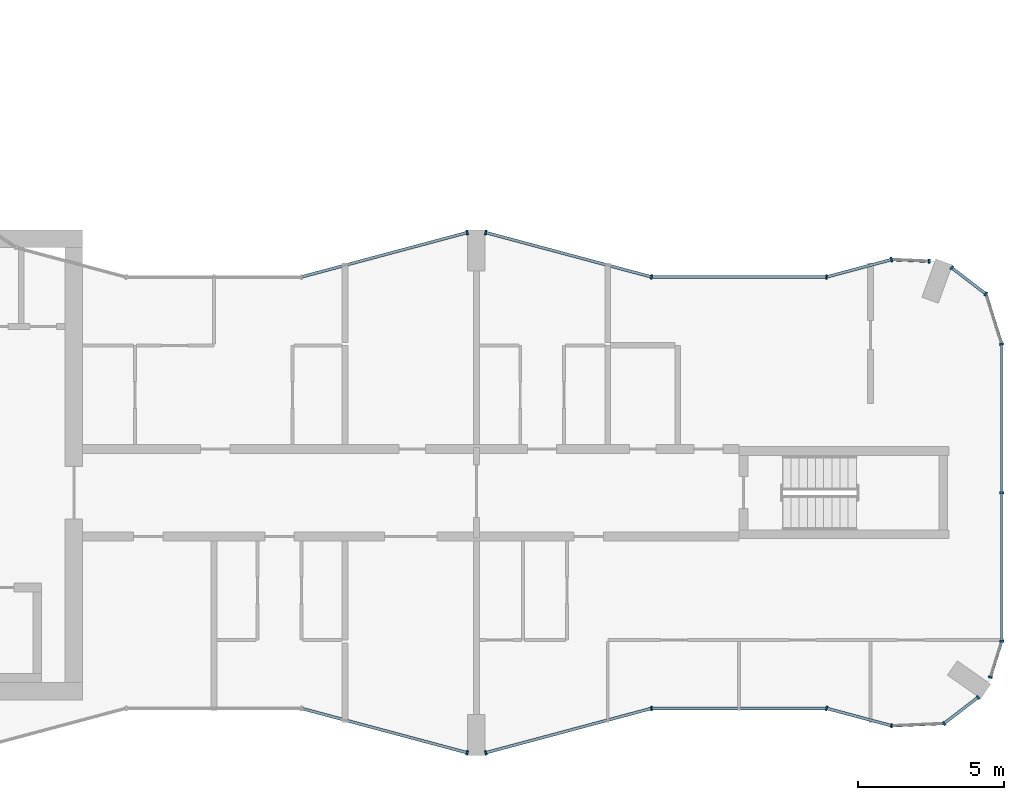
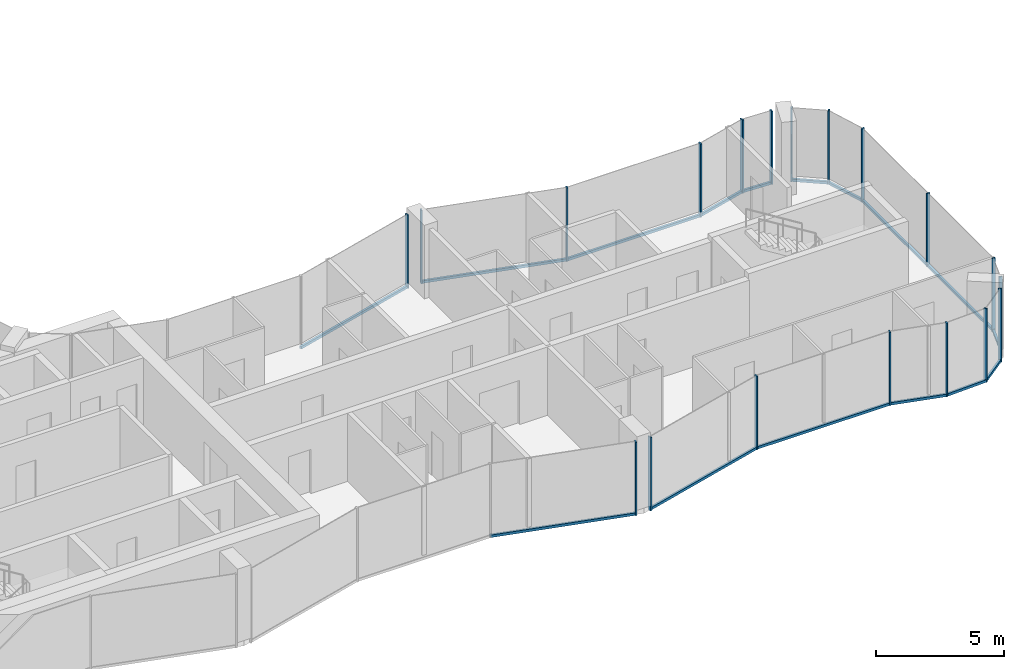
# One storey, part 6 of 17: 34 members, 15 elements without a shape of their own.
"""IFC4 building model written with IfcOpenShell, lengths in metres."""

from ifc_helpers import new_model, si_unit, direction, frame, origin, origin_2d, place, context, subcontext, project, spatial, rectangle, extrude, material, layer, layer_set, material_profile, profile_set, type_object, element, aggregate, save


model = new_model("IFC4")

# Units and contexts
model_context = context("Model", 3, precision=1e-05, world=origin(), true_north=direction((0.0, 1.0)))
body_context = subcontext(model_context, "Body", "Model", "MODEL_VIEW")
ifc_project = project(units=[si_unit("LENGTHUNIT", "METRE"), si_unit("AREAUNIT", "SQUARE_METRE"), si_unit("VOLUMEUNIT", "CUBIC_METRE"), si_unit("PLANEANGLEUNIT", "RADIAN"), si_unit("MASSUNIT", "GRAM", prefix="KILO")], contexts=[model_context])

# Site, building, storey
site_placement = place(None, origin())
site = spatial("IfcSite", under=ifc_project, at=site_placement, CompositionType="ELEMENT")
building_placement = place(site_placement, origin())
building = spatial("IfcBuilding", under=site, at=building_placement, Name="Plateau Cross Towers", CompositionType="ELEMENT")
storey_placement = place(building_placement, frame((0.0, 0.0, 146.39990234375)))
storey = spatial("IfcBuildingStorey", under=building, at=storey_placement, Name="L37", CompositionType="ELEMENT", Elevation=146.39990234375)

# Curtain wall, member
ifc_material_1 = material(Name="Dark low-iron glass", Category="glass")
ifc_layer_1 = layer(ifc_material_1, 0.239990234375)
ifc_layer_set_1 = layer_set([ifc_layer_1], Name="Dark low-iron glass")
curtain_wall_type_1 = type_object("IfcCurtainWallType", Name="Curtain wall flush unitised CW-B", PredefinedType="NOTDEFINED", material=ifc_layer_set_1)
curtain_wall_1_placement = place(storey_placement, origin())
curtain_wall_1 = element("IfcCurtainWall", 1, at=curtain_wall_1_placement, inside=storey, type_object=curtain_wall_type_1, Name="ENV/A/L37/A502_10", PredefinedType="NOTDEFINED")
ifc_material_2 = material(Name="Black anodised aluminium", Category="aluminium")
ifc_material_profile_1 = material_profile(ifc_material_2, rectangle(XDim=0.06005859375, YDim=0.139892578125, at=origin_2d()), Name="MULLION 60x140")
ifc_profile_set_1 = profile_set([ifc_material_profile_1], Name="Black anodised aluminium")
member_type_1 = type_object("IfcMemberType", Name="Mullion 60x140 flush unitised", PredefinedType="MULLION", material=ifc_profile_set_1)
member_1_placement = place(storey_placement, frame((50.223876953125, 1.01123046875, -0.25), z_axis=(0.0, 0.0, 1.0), x_axis=(0.999043701491, 0.043722791671, 0.0)))
member_1 = element("IfcMember", 2, at=member_1_placement, type_object=member_type_1, Name="CW-B mullion 1", PredefinedType="MULLION", context=body_context, shape_type="SweptSolid", body=[
    extrude(rectangle(XDim=0.06005859375, YDim=0.139892578125, at=origin_2d()), origin(), (0.0, 0.0, 1.0), 3.5),
])

# Curtain wall, members
curtain_wall_2_placement = place(storey_placement, origin())
curtain_wall_2 = element("IfcCurtainWall", 3, at=curtain_wall_2_placement, inside=storey, type_object=curtain_wall_type_1, Name="ENV/A/L37/A520_11", PredefinedType="NOTDEFINED")
member_2_placement = place(storey_placement, frame((52.0263671875, 1.090087890625, -0.25), z_axis=(0.0, 0.0, 1.0), x_axis=(0.793315514529, 0.608810721331, 0.0)))
member_2 = element("IfcMember", 4, at=member_2_placement, type_object=member_type_1, Name="CW-B mullion 1", PredefinedType="MULLION", context=body_context, shape_type="SweptSolid", body=[
    extrude(rectangle(XDim=0.06005859375, YDim=0.139892578125, at=origin_2d()), origin(), (0.0, 0.0, 1.0), 3.5),
])
member_3_placement = place(storey_placement, frame((53.193603515625, 1.986083984375, -0.25), z_axis=(0.0, 0.0, 1.0), x_axis=(0.793315514529, 0.608810721331, 0.0)))
member_3 = element("IfcMember", 5, at=member_3_placement, type_object=member_type_1, Name="CW-B mullion 2", PredefinedType="MULLION", context=body_context, shape_type="SweptSolid", body=[
    extrude(rectangle(XDim=0.06005859375, YDim=0.139892578125, at=origin_2d()), origin(), (0.0, 0.0, 1.0), 3.5),
])

# Curtain wall, member
curtain_wall_3_placement = place(storey_placement, origin())
curtain_wall_3 = element("IfcCurtainWall", 6, at=curtain_wall_3_placement, inside=storey, type_object=curtain_wall_type_1, Name="ENV/A/L37/A536_27", PredefinedType="NOTDEFINED")
member_4_placement = place(storey_placement, frame((53.611083984375, 2.67529296875, -0.25), z_axis=(0.0, 0.0, 1.0), x_axis=(0.300686174994, 0.95372313811, 0.0)))
member_4 = element("IfcMember", 7, at=member_4_placement, type_object=member_type_1, Name="CW-B mullion 1", PredefinedType="MULLION", context=body_context, shape_type="SweptSolid", body=[
    extrude(rectangle(XDim=0.06005859375, YDim=0.139892578125, at=origin_2d()), origin(), (0.0, 0.0, 1.0), 3.5),
])

# Curtain wall, members
curtain_wall_4_placement = place(storey_placement, origin())
curtain_wall_4 = element("IfcCurtainWall", 8, at=curtain_wall_4_placement, inside=storey, type_object=curtain_wall_type_1, Name="ENV/A/L37/A540_39", PredefinedType="NOTDEFINED")
member_5_placement = place(storey_placement, frame((54.0, 3.9091796875, -0.25), z_axis=(0.0, 0.0, 1.0), x_axis=(0.0, 1.0, 0.0)))
member_5 = element("IfcMember", 9, at=member_5_placement, type_object=member_type_1, Name="CW-B mullion 1", PredefinedType="MULLION", context=body_context, shape_type="SweptSolid", body=[
    extrude(rectangle(XDim=0.06005859375, YDim=0.139892578125, at=origin_2d()), origin(), (0.0, 0.0, 1.0), 3.5),
])
member_6_placement = place(storey_placement, frame((54.0, 9.0, -0.25), z_axis=(0.0, 0.0, 1.0), x_axis=(0.0, 1.0, 0.0)))
member_6 = element("IfcMember", 10, at=member_6_placement, type_object=member_type_1, Name="CW-B mullion 2", PredefinedType="MULLION", context=body_context, shape_type="SweptSolid", body=[
    extrude(rectangle(XDim=0.06005859375, YDim=0.139892578125, at=origin_2d()), origin(), (0.0, 0.0, 1.0), 3.5),
])

# Curtain wall, member
curtain_wall_5_placement = place(storey_placement, origin())
curtain_wall_5 = element("IfcCurtainWall", 11, at=curtain_wall_5_placement, inside=storey, type_object=curtain_wall_type_1, Name="ENV/A/L37/A540_141", PredefinedType="NOTDEFINED")
member_7_placement = place(storey_placement, frame((54.0, 14.0908203125, -0.25), z_axis=(0.0, 0.0, 1.0), x_axis=(-0.300686174994, 0.95372313811, 0.0)))
member_7 = element("IfcMember", 12, at=member_7_placement, type_object=member_type_1, Name="CW-B mullion 1", PredefinedType="MULLION", context=body_context, shape_type="SweptSolid", body=[
    extrude(rectangle(XDim=0.06005859375, YDim=0.139892578125, at=origin_2d()), origin(), (0.0, 0.0, 1.0), 3.5),
])

# Curtain wall, members
curtain_wall_6_placement = place(storey_placement, origin())
curtain_wall_6 = element("IfcCurtainWall", 13, at=curtain_wall_6_placement, inside=storey, type_object=curtain_wall_type_1, Name="ENV/A/L37/A535_158", PredefinedType="NOTDEFINED")
member_8_placement = place(storey_placement, frame((53.45751953125, 15.8115234375, -0.25), z_axis=(0.0, 0.0, 1.0), x_axis=(-0.793315514529, 0.608810721331, 0.0)))
member_8 = element("IfcMember", 14, at=member_8_placement, type_object=member_type_1, Name="CW-B mullion 1", PredefinedType="MULLION", context=body_context, shape_type="SweptSolid", body=[
    extrude(rectangle(XDim=0.06005859375, YDim=0.139892578125, at=origin_2d()), origin(), (0.0, 0.0, 1.0), 3.5),
])
member_9_placement = place(storey_placement, frame((52.290283203125, 16.707275390625, -0.25), z_axis=(0.0, 0.0, 1.0), x_axis=(-0.793315514529, 0.608810721331, 0.0)))
member_9 = element("IfcMember", 15, at=member_9_placement, type_object=member_type_1, Name="CW-B mullion 2", PredefinedType="MULLION", context=body_context, shape_type="SweptSolid", body=[
    extrude(rectangle(XDim=0.06005859375, YDim=0.139892578125, at=origin_2d()), origin(), (0.0, 0.0, 1.0), 3.5),
])

# Curtain wall, member
curtain_wall_7_placement = place(storey_placement, origin())
curtain_wall_7 = element("IfcCurtainWall", 16, at=curtain_wall_7_placement, inside=storey, type_object=curtain_wall_type_1, Name="ENV/A/L37/A515_169", PredefinedType="NOTDEFINED")
member_10_placement = place(storey_placement, frame((51.516357421875, 16.93212890625, -0.25), z_axis=(0.0, 0.0, 1.0), x_axis=(-0.999043701491, 0.043722791671, 0.0)))
member_10 = element("IfcMember", 17, at=member_10_placement, type_object=member_type_1, Name="CW-B mullion 1", PredefinedType="MULLION", context=body_context, shape_type="SweptSolid", body=[
    extrude(rectangle(XDim=0.06005859375, YDim=0.139892578125, at=origin_2d()), origin(), (0.0, 0.0, 1.0), 3.5),
])

ifc_layer_2 = layer(ifc_material_1, 0.260009765625)
ifc_layer_set_2 = layer_set([ifc_layer_2], Name="Dark low-iron glass")
curtain_wall_type_2 = type_object("IfcCurtainWallType", Name="Curtain wall fluted unitised CW-A", PredefinedType="NOTDEFINED", material=ifc_layer_set_2)
curtain_wall_8_placement = place(storey_placement, origin())
curtain_wall_8 = element("IfcCurtainWall", 18, at=curtain_wall_8_placement, inside=storey, type_object=curtain_wall_type_2, Name="ENV/A/L37/A300_16", PredefinedType="NOTDEFINED")
ifc_material_profile_2 = material_profile(ifc_material_2, rectangle(XDim=0.06005859375, YDim=0.159912109375, at=origin_2d()), Name="MULLION 60x160")
ifc_profile_set_2 = profile_set([ifc_material_profile_2], Name="Black anodised aluminium")
member_type_2 = type_object("IfcMemberType", Name="Mullion 60x160 fluted unitised", PredefinedType="MULLION", material=ifc_profile_set_2)
member_11_placement = place(storey_placement, frame((35.68212890625, 0.085205078125, -0.25), z_axis=(0.0, 0.0, 1.0), x_axis=(0.965957983404, -0.258699003279, 0.0)))
member_11 = element("IfcMember", 19, at=member_11_placement, type_object=member_type_2, Name="CW-A mullion 2", PredefinedType="MULLION", context=body_context, shape_type="SweptSolid", body=[
    extrude(rectangle(XDim=0.06005859375, YDim=0.159912109375, at=origin_2d()), origin(), (0.0, 0.0, 1.0), 3.5),
])

curtain_wall_9_placement = place(storey_placement, origin())
curtain_wall_9 = element("IfcCurtainWall", 20, at=curtain_wall_9_placement, inside=storey, type_object=curtain_wall_type_2, Name="ENV/A/L37/A363_1", PredefinedType="NOTDEFINED")
member_12_placement = place(storey_placement, frame((36.31787109375, 0.085205078125, -0.25), z_axis=(0.0, 0.0, 1.0), x_axis=(0.965957983404, 0.258699003279, 0.0)))
member_12 = element("IfcMember", 21, at=member_12_placement, type_object=member_type_2, Name="CW-A mullion 1", PredefinedType="MULLION", context=body_context, shape_type="SweptSolid", body=[
    extrude(rectangle(XDim=0.06005859375, YDim=0.159912109375, at=origin_2d()), origin(), (0.0, 0.0, 1.0), 3.5),
])

curtain_wall_10_placement = place(storey_placement, origin())
curtain_wall_10 = element("IfcCurtainWall", 22, at=curtain_wall_10_placement, inside=storey, type_object=curtain_wall_type_2, Name="ENV/A/L37/A420_16", PredefinedType="NOTDEFINED")
member_13_placement = place(storey_placement, frame((42.0, 1.60693359375, -0.25), z_axis=(0.0, 0.0, 1.0), x_axis=(1.0, 0.0, 0.0)))
member_13 = element("IfcMember", 23, at=member_13_placement, type_object=member_type_2, Name="CW-A mullion 1", PredefinedType="MULLION", context=body_context, shape_type="SweptSolid", body=[
    extrude(rectangle(XDim=0.06005859375, YDim=0.159912109375, at=origin_2d()), origin(), (0.0, 0.0, 1.0), 3.5),
])

curtain_wall_11_placement = place(storey_placement, origin())
curtain_wall_11 = element("IfcCurtainWall", 24, at=curtain_wall_11_placement, inside=storey, type_object=curtain_wall_type_2, Name="ENV/A/L37/A480_16", PredefinedType="NOTDEFINED")
member_14_placement = place(storey_placement, frame((48.0, 1.60693359375, -0.25), z_axis=(0.0, 0.0, 1.0), x_axis=(0.965957962328, -0.258699081978, 0.0)))
member_14 = element("IfcMember", 25, at=member_14_placement, type_object=member_type_2, Name="CW-A mullion 1", PredefinedType="MULLION", context=body_context, shape_type="SweptSolid", body=[
    extrude(rectangle(XDim=0.06005859375, YDim=0.159912109375, at=origin_2d()), origin(), (0.0, 0.0, 1.0), 3.5),
])

curtain_wall_12_placement = place(storey_placement, origin())
curtain_wall_12 = element("IfcCurtainWall", 26, at=curtain_wall_12_placement, inside=storey, type_object=curtain_wall_type_2, Name="ENV/A/L37/A502_170", PredefinedType="NOTDEFINED")
member_15_placement = place(storey_placement, frame((50.223876953125, 16.98876953125, -0.25), z_axis=(0.0, 0.0, 1.0), x_axis=(-0.965957962328, -0.258699081978, 0.0)))
member_15 = element("IfcMember", 27, at=member_15_placement, type_object=member_type_2, Name="CW-A mullion 1", PredefinedType="MULLION", context=body_context, shape_type="SweptSolid", body=[
    extrude(rectangle(XDim=0.06005859375, YDim=0.159912109375, at=origin_2d()), origin(), (0.0, 0.0, 1.0), 3.5),
])

curtain_wall_13_placement = place(storey_placement, origin())
curtain_wall_13 = element("IfcCurtainWall", 28, at=curtain_wall_13_placement, inside=storey, type_object=curtain_wall_type_2, Name="ENV/A/L37/A480_164", PredefinedType="NOTDEFINED")
member_16_placement = place(storey_placement, frame((48.0, 16.39306640625, -0.25), z_axis=(0.0, 0.0, 1.0), x_axis=(-1.0, 0.0, 0.0)))
member_16 = element("IfcMember", 29, at=member_16_placement, type_object=member_type_2, Name="CW-A mullion 1", PredefinedType="MULLION", context=body_context, shape_type="SweptSolid", body=[
    extrude(rectangle(XDim=0.06005859375, YDim=0.159912109375, at=origin_2d()), origin(), (0.0, 0.0, 1.0), 3.5),
])

# Curtain wall, members
curtain_wall_14_placement = place(storey_placement, origin())
curtain_wall_14 = element("IfcCurtainWall", 30, at=curtain_wall_14_placement, inside=storey, type_object=curtain_wall_type_2, Name="ENV/A/L37/A420_164", PredefinedType="NOTDEFINED")
member_17_placement = place(storey_placement, frame((42.0, 16.39306640625, -0.25), z_axis=(0.0, 0.0, 1.0), x_axis=(-0.965957983404, 0.258699003279, 0.0)))
member_17 = element("IfcMember", 31, at=member_17_placement, type_object=member_type_2, Name="CW-A mullion 1", PredefinedType="MULLION", context=body_context, shape_type="SweptSolid", body=[
    extrude(rectangle(XDim=0.06005859375, YDim=0.159912109375, at=origin_2d()), origin(), (0.0, 0.0, 1.0), 3.5),
])
member_18_placement = place(storey_placement, frame((36.31787109375, 17.914794921875, -0.25), z_axis=(0.0, 0.0, 1.0), x_axis=(-0.965957983404, 0.258699003279, 0.0)))
member_18 = element("IfcMember", 32, at=member_18_placement, type_object=member_type_2, Name="CW-A mullion 2", PredefinedType="MULLION", context=body_context, shape_type="SweptSolid", body=[
    extrude(rectangle(XDim=0.06005859375, YDim=0.159912109375, at=origin_2d()), origin(), (0.0, 0.0, 1.0), 3.5),
])

# Curtain wall, member
curtain_wall_15_placement = place(storey_placement, origin())
curtain_wall_15 = element("IfcCurtainWall", 33, at=curtain_wall_15_placement, inside=storey, type_object=curtain_wall_type_2, Name="ENV/A/L37/A357_179", PredefinedType="NOTDEFINED")
member_19_placement = place(storey_placement, frame((35.68212890625, 17.914794921875, -0.25), z_axis=(0.0, 0.0, 1.0), x_axis=(-0.965957983404, -0.258699003279, 0.0)))
member_19 = element("IfcMember", 34, at=member_19_placement, type_object=member_type_2, Name="CW-A mullion 1", PredefinedType="MULLION", context=body_context, shape_type="SweptSolid", body=[
    extrude(rectangle(XDim=0.06005859375, YDim=0.159912109375, at=origin_2d()), origin(), (0.0, 0.0, 1.0), 3.5),
])

# Member
ifc_material_profile_3 = material_profile(ifc_material_2, rectangle(XDim=0.10009765625, YDim=0.1201171875, at=origin_2d()), Name="TRANSOM 100x120")
ifc_profile_set_3 = profile_set([ifc_material_profile_3], Name="Black anodised aluminium")
member_type_3 = type_object("IfcMemberType", Name="Transom 100x120 flush unitised", PredefinedType="USERDEFINED", material=ifc_profile_set_3)
member_20_placement = place(storey_placement, frame((50.223876953125, 1.01123046875, -0.18994140625), z_axis=(0.999044377355, 0.043707345779, 0.0), x_axis=(-0.043707345779, 0.999044377355, 0.0)))
member_20 = element("IfcMember", 35, at=member_20_placement, type_object=member_type_3, Name="CW-B transom", ObjectType="TRANSOM", PredefinedType="USERDEFINED", context=body_context, shape_type="SweptSolid", body=[
    extrude(rectangle(XDim=0.10009765625, YDim=0.1201171875, at=origin_2d()), origin(), (0.0, 0.0, 1.0), 1.80419921875),
])

aggregate(curtain_wall_1, [member_1, member_20])

member_21_placement = place(storey_placement, frame((52.0263671875, 1.090087890625, -0.18994140625), z_axis=(0.793240368515, 0.608908628415, 0.0), x_axis=(-0.608908628415, 0.793240368515, 0.0)))
member_21 = element("IfcMember", 36, at=member_21_placement, type_object=member_type_3, Name="CW-B transom", ObjectType="TRANSOM", PredefinedType="USERDEFINED", context=body_context, shape_type="SweptSolid", body=[
    extrude(rectangle(XDim=0.10009765625, YDim=0.1201171875, at=origin_2d()), origin(), (0.0, 0.0, 1.0), 1.471435546875),
])

aggregate(curtain_wall_2, [member_2, member_3, member_21])

member_22_placement = place(storey_placement, frame((53.611083984375, 2.67529296875, -0.18994140625), z_axis=(0.300616528216, 0.953745093284, 0.0), x_axis=(-0.953745093284, 0.300616528216, 0.0)))
member_22 = element("IfcMember", 37, at=member_22_placement, type_object=member_type_3, Name="CW-B transom", ObjectType="TRANSOM", PredefinedType="USERDEFINED", context=body_context, shape_type="SweptSolid", body=[
    extrude(rectangle(XDim=0.10009765625, YDim=0.1201171875, at=origin_2d()), origin(), (0.0, 0.0, 1.0), 1.293701171875),
])

aggregate(curtain_wall_3, [member_4, member_22])

member_23_placement = place(storey_placement, frame((54.0, 3.9091796875, -0.18994140625), z_axis=(0.0, 1.0, 0.0), x_axis=(-1.0, 0.0, 0.0)))
member_23 = element("IfcMember", 38, at=member_23_placement, type_object=member_type_3, Name="CW-B transom", ObjectType="TRANSOM", PredefinedType="USERDEFINED", context=body_context, shape_type="SweptSolid", body=[
    extrude(rectangle(XDim=0.10009765625, YDim=0.1201171875, at=origin_2d()), origin(), (0.0, 0.0, 1.0), 10.181640625),
])

aggregate(curtain_wall_4, [member_5, member_6, member_23])

member_24_placement = place(storey_placement, frame((54.0, 14.0908203125, -0.18994140625), z_axis=(-0.30067799945, 0.953725715626, 0.0), x_axis=(-0.953725715626, -0.30067799945, 0.0)))
member_24 = element("IfcMember", 39, at=member_24_placement, type_object=member_type_3, Name="CW-B transom", ObjectType="TRANSOM", PredefinedType="USERDEFINED", context=body_context, shape_type="SweptSolid", body=[
    extrude(rectangle(XDim=0.10009765625, YDim=0.1201171875, at=origin_2d()), origin(), (0.0, 0.0, 1.0), 1.80419921875),
])

aggregate(curtain_wall_5, [member_7, member_24])

member_25_placement = place(storey_placement, frame((53.45751953125, 15.8115234375, -0.18994140625), z_axis=(-0.793320508571, 0.608804213751, 0.0), x_axis=(-0.608804213751, -0.793320508571, 0.0)))
member_25 = element("IfcMember", 40, at=member_25_placement, type_object=member_type_3, Name="CW-B transom", ObjectType="TRANSOM", PredefinedType="USERDEFINED", context=body_context, shape_type="SweptSolid", body=[
    extrude(rectangle(XDim=0.10009765625, YDim=0.1201171875, at=origin_2d()), origin(), (0.0, 0.0, 1.0), 1.471435546875),
])

aggregate(curtain_wall_6, [member_8, member_9, member_25])

member_26_placement = place(storey_placement, frame((51.516357421875, 16.93212890625, -0.18994140625), z_axis=(-0.999041144614, 0.043781175963, 0.0), x_axis=(-0.043781175963, -0.999041144614, 0.0)))
member_26 = element("IfcMember", 41, at=member_26_placement, type_object=member_type_3, Name="CW-B transom", ObjectType="TRANSOM", PredefinedType="USERDEFINED", context=body_context, shape_type="SweptSolid", body=[
    extrude(rectangle(XDim=0.10009765625, YDim=0.1201171875, at=origin_2d()), origin(), (0.0, 0.0, 1.0), 1.293701171875),
])

aggregate(curtain_wall_7, [member_10, member_26])

ifc_material_profile_4 = material_profile(ifc_material_2, rectangle(XDim=0.10009765625, YDim=0.1201171875, at=origin_2d()), Name="TRANSOM 100x120")
ifc_profile_set_4 = profile_set([ifc_material_profile_4], Name="Black anodised aluminium")
member_type_4 = type_object("IfcMemberType", Name="Transom 100x120 fluted unitised", PredefinedType="USERDEFINED", material=ifc_profile_set_4)
member_27_placement = place(storey_placement, frame((30.0, 1.60693359375, -0.18994140625), z_axis=(0.965959534794, -0.258693210465, 0.0), x_axis=(0.258693210465, 0.965959534794, 0.0)))
member_27 = element("IfcMember", 42, at=member_27_placement, type_object=member_type_4, Name="CW-A transom", ObjectType="TRANSOM", PredefinedType="USERDEFINED", context=body_context, shape_type="SweptSolid", body=[
    extrude(rectangle(XDim=0.10009765625, YDim=0.1201171875, at=origin_2d()), origin(), (0.0, 0.0, 1.0), 5.88232421875),
])

aggregate(curtain_wall_8, [member_11, member_27])

member_28_placement = place(storey_placement, frame((36.31787109375, 0.085205078125, -0.18994140625), z_axis=(0.965959534794, 0.258693210465, 0.0), x_axis=(-0.258693210465, 0.965959534794, 0.0)))
member_28 = element("IfcMember", 43, at=member_28_placement, type_object=member_type_4, Name="CW-A transom", ObjectType="TRANSOM", PredefinedType="USERDEFINED", context=body_context, shape_type="SweptSolid", body=[
    extrude(rectangle(XDim=0.10009765625, YDim=0.1201171875, at=origin_2d()), origin(), (0.0, 0.0, 1.0), 5.88232421875),
])

aggregate(curtain_wall_9, [member_12, member_28])

member_29_placement = place(storey_placement, frame((42.0, 1.60693359375, -0.18994140625), z_axis=(1.0, 0.0, 0.0), x_axis=(0.0, 1.0, 0.0)))
member_29 = element("IfcMember", 44, at=member_29_placement, type_object=member_type_4, Name="CW-A transom", ObjectType="TRANSOM", PredefinedType="USERDEFINED", context=body_context, shape_type="SweptSolid", body=[
    extrude(rectangle(XDim=0.10009765625, YDim=0.1201171875, at=origin_2d()), origin(), (0.0, 0.0, 1.0), 6.0),
])

aggregate(curtain_wall_10, [member_13, member_29])

member_30_placement = place(storey_placement, frame((48.0, 1.60693359375, -0.18994140625), z_axis=(0.965945685136, -0.258744919501, 0.0), x_axis=(0.258744919501, 0.965945685136, 0.0)))
member_30 = element("IfcMember", 45, at=member_30_placement, type_object=member_type_4, Name="CW-A transom", ObjectType="TRANSOM", PredefinedType="USERDEFINED", context=body_context, shape_type="SweptSolid", body=[
    extrude(rectangle(XDim=0.10009765625, YDim=0.1201171875, at=origin_2d()), origin(), (0.0, 0.0, 1.0), 2.30224609375),
])

aggregate(curtain_wall_11, [member_14, member_30])

member_31_placement = place(storey_placement, frame((50.223876953125, 16.98876953125, -0.18994140625), z_axis=(-0.965945685136, -0.258744919501, 0.0), x_axis=(0.258744919501, -0.965945685136, 0.0)))
member_31 = element("IfcMember", 46, at=member_31_placement, type_object=member_type_4, Name="CW-A transom", ObjectType="TRANSOM", PredefinedType="USERDEFINED", context=body_context, shape_type="SweptSolid", body=[
    extrude(rectangle(XDim=0.10009765625, YDim=0.1201171875, at=origin_2d()), origin(), (0.0, 0.0, 1.0), 2.30224609375),
])

aggregate(curtain_wall_12, [member_15, member_31])

member_32_placement = place(storey_placement, frame((48.0, 16.39306640625, -0.18994140625), z_axis=(-1.0, 0.0, 0.0), x_axis=(0.0, -1.0, 0.0)))
member_32 = element("IfcMember", 47, at=member_32_placement, type_object=member_type_4, Name="CW-A transom", ObjectType="TRANSOM", PredefinedType="USERDEFINED", context=body_context, shape_type="SweptSolid", body=[
    extrude(rectangle(XDim=0.10009765625, YDim=0.1201171875, at=origin_2d()), origin(), (0.0, 0.0, 1.0), 6.0),
])

aggregate(curtain_wall_13, [member_16, member_32])

member_33_placement = place(storey_placement, frame((42.0, 16.39306640625, -0.18994140625), z_axis=(-0.965959534794, 0.258693210465, 0.0), x_axis=(-0.258693210465, -0.965959534794, 0.0)))
member_33 = element("IfcMember", 48, at=member_33_placement, type_object=member_type_4, Name="CW-A transom", ObjectType="TRANSOM", PredefinedType="USERDEFINED", context=body_context, shape_type="SweptSolid", body=[
    extrude(rectangle(XDim=0.10009765625, YDim=0.1201171875, at=origin_2d()), origin(), (0.0, 0.0, 1.0), 5.88232421875),
])

aggregate(curtain_wall_14, [member_17, member_18, member_33])

member_34_placement = place(storey_placement, frame((35.68212890625, 17.914794921875, -0.18994140625), z_axis=(-0.965959534794, -0.258693210465, 0.0), x_axis=(0.258693210465, -0.965959534794, 0.0)))
member_34 = element("IfcMember", 49, at=member_34_placement, type_object=member_type_4, Name="CW-A transom", ObjectType="TRANSOM", PredefinedType="USERDEFINED", context=body_context, shape_type="SweptSolid", body=[
    extrude(rectangle(XDim=0.10009765625, YDim=0.1201171875, at=origin_2d()), origin(), (0.0, 0.0, 1.0), 5.88232421875),
])

aggregate(curtain_wall_15, [member_19, member_34])

save(model, "model.ifc")
